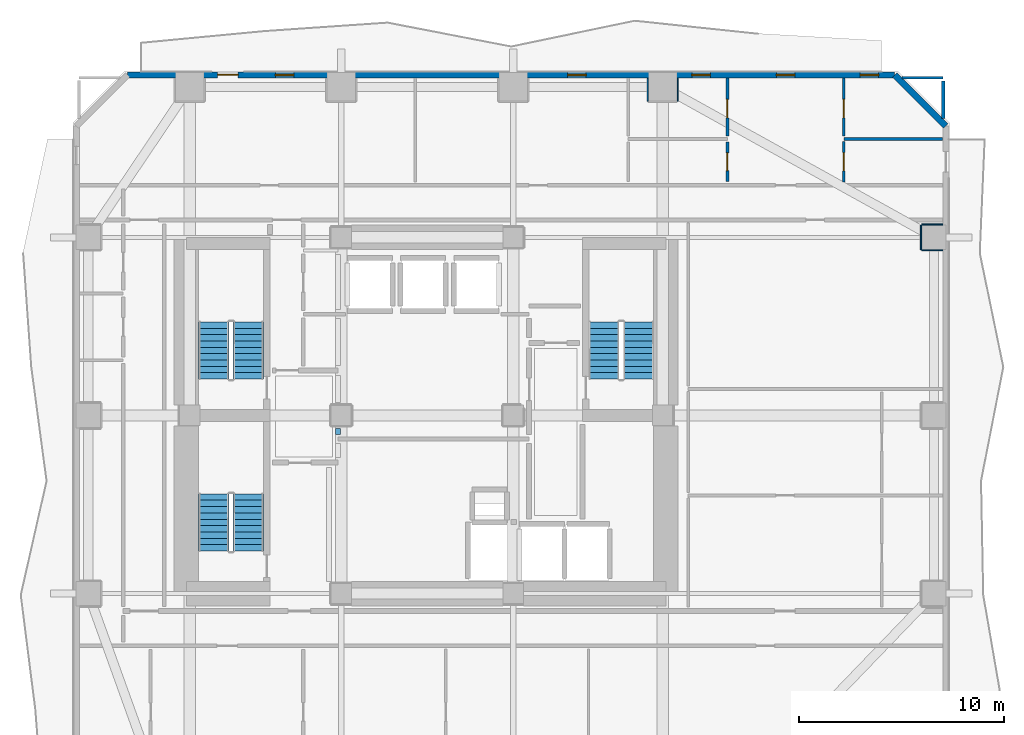
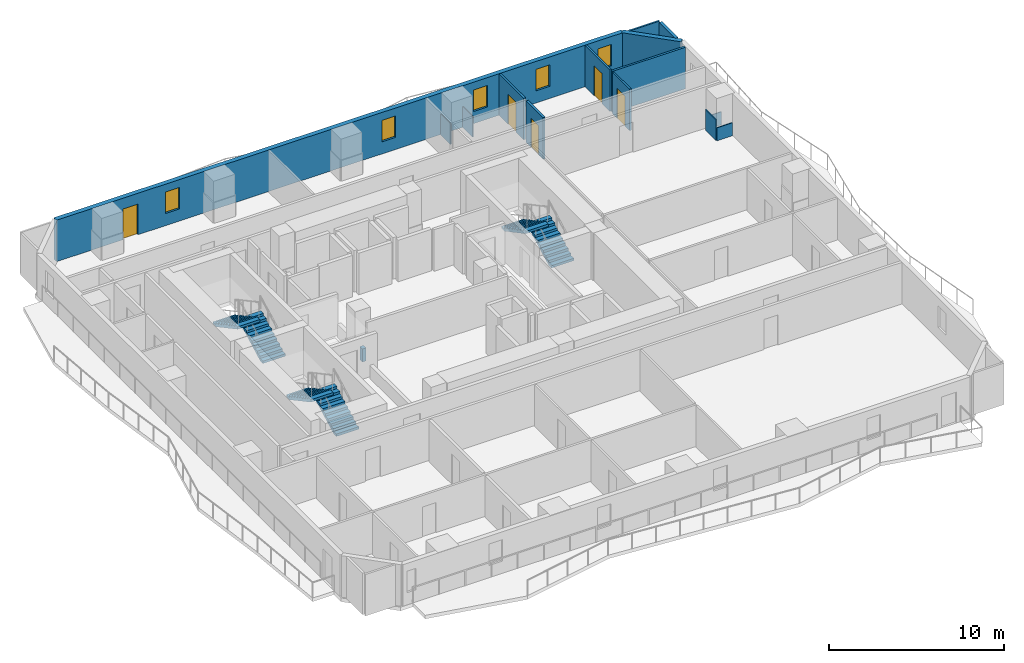
# One storey, part 6 of 9: 15 walls, 6 stair flights, 5 doors, 5 windows, 10 openings, 3 elements without a shape of their own.
"""IFC4 building model written with IfcOpenShell, lengths in metres."""

from ifc_helpers import new_model, si_unit, direction, frame, frame_2d, origin, place, context, subcontext, project, spatial, polyline, rectangle, outline, extrude, material, layer, layer_set, type_object, element, fill, aggregate, save


model = new_model("IFC4")

# Units and contexts
model_context = context("Model", 3, precision=1e-05, world=origin(), true_north=direction((0.0, 1.0)))
body_context = subcontext(model_context, "Body", "Model", "MODEL_VIEW")
ifc_project = project(units=[si_unit("LENGTHUNIT", "METRE"), si_unit("AREAUNIT", "SQUARE_METRE"), si_unit("VOLUMEUNIT", "CUBIC_METRE"), si_unit("PLANEANGLEUNIT", "RADIAN"), si_unit("MASSUNIT", "GRAM", prefix="KILO")], contexts=[model_context])

# Site, building, storey
site_placement = place(None, origin())
site = spatial("IfcSite", under=ifc_project, at=site_placement, CompositionType="ELEMENT")
building_placement = place(site_placement, origin())
building = spatial("IfcBuilding", under=site, at=building_placement, Name="Solanera Arch Residences", CompositionType="ELEMENT")
storey_placement = place(building_placement, frame((0.0, 0.0, 58.52001953125)))
storey = spatial("IfcBuildingStorey", under=building, at=storey_placement, Name="L16", CompositionType="ELEMENT", Elevation=58.52001953125)

# Walls
ifc_material_1 = material(Name="Fire-Rated Gypsum Stud Partition", Category="gypsum")
ifc_layer_1 = layer(ifc_material_1, 0.06005859375)
ifc_layer_set_1 = layer_set([ifc_layer_1], Name="Fire-Rated Gypsum Stud Partition")
wall_type_1 = type_object("IfcWallType", Name="Column Acoustic Furring Wall 60", PredefinedType="PARTITIONING", material=ifc_layer_set_1)
for number, where, z_axis, x_axis, name in (
    (1, (35.76806640625, 46.050048828125, 0.0), (0.0, 0.0, 1.0), (0.0, 1.0, 0.0), "L16 Column Furring 16W"),
    (2, (37.23193359375, 46.050048828125, 0.0), (0.0, 0.0, 1.0), (0.0, 1.0, 0.0), "L16 Column Furring 16E"),
):
    element("IfcWall", number, at=place(storey_placement, frame(where, z_axis=z_axis, x_axis=x_axis)), inside=storey, type_object=wall_type_1, Name=name, PredefinedType="PARTITIONING", context=body_context, shape_type="SweptSolid", body=[
        extrude(rectangle(XDim=1.119873046875, YDim=0.06005859375, at=frame_2d((0.56005859375, 0.0))), origin(), (0.0, 0.0, 1.0), 1.449951171875),
    ])
for number, where, z_axis, x_axis, name in (
    (3, (49.14990234375, 38.76806640625, 0.0), (0.0, 0.0, 1.0), (1.0, 0.0, 0.0), "L16 Column Furring 22S"),
    (4, (49.14990234375, 40.031982421875, 0.0), (0.0, 0.0, 1.0), (1.0, 0.0, 0.0), "L16 Column Furring 22N"),
):
    element("IfcWall", number, at=place(storey_placement, frame(where, z_axis=z_axis, x_axis=x_axis)), inside=storey, type_object=wall_type_1, Name=name, PredefinedType="PARTITIONING", context=body_context, shape_type="SweptSolid", body=[
        extrude(rectangle(XDim=1.02001953125, YDim=0.06005859375, at=frame_2d((0.510009765625, 0.0))), origin(), (0.0, 0.0, 1.0), 0.905029296875),
    ])
wall_1_placement = place(storey_placement, frame((49.117919921875, 38.800048828125, 0.0), z_axis=(0.0, 0.0, 1.0), x_axis=(0.0, 1.0, 0.0)))
element("IfcWall", 5, at=wall_1_placement, inside=storey, type_object=wall_type_1, Name="L16 Column Furring 22W", PredefinedType="PARTITIONING", context=body_context, shape_type="SweptSolid", body=[
    extrude(rectangle(XDim=1.199951171875, YDim=0.06005859375, at=frame_2d((0.60009765625, 0.0))), origin(), (0.0, 0.0, 1.0), 1.449951171875),
])
ifc_material_2 = material(Name="Autoclaved Aerated Concrete Blockwork", Category="masonry")
ifc_layer_2 = layer(ifc_material_2, 0.179931640625)
ifc_layer_set_2 = layer_set([ifc_layer_2], Name="Autoclaved Aerated Concrete Blockwork")
wall_type_2 = type_object("IfcWallType", Name="Corridor Fire Partition 180", PredefinedType="PARTITIONING", material=ifc_layer_set_2)
wall_2_placement = place(storey_placement, frame((50.199951171875, 45.198974609375, 0.0), z_axis=(0.0, 0.0, 1.0), x_axis=(0.0, 1.0, 0.0)))
element("IfcWall", 6, at=wall_2_placement, inside=storey, type_object=wall_type_2, Name="L16 Interior Partition V10 2", PredefinedType="PARTITIONING", context=body_context, shape_type="SweptSolid", body=[
    extrude(rectangle(XDim=1.843017578125, YDim=0.179931640625, at=frame_2d((0.92138671875, 0.0))), origin(), (0.0, 0.0, 1.0), 2.89990234375),
])

# Wall, openings, door, windows
ifc_material_3 = material(Name="Precast Concrete C35/45", Category="concrete")
ifc_layer_3 = layer(ifc_material_3, 0.300048828125)
ifc_layer_set_3 = layer_set([ifc_layer_3], Name="Precast Concrete C35/45")
wall_type_3 = type_object("IfcWallType", Name="Exterior Wall Precast Masonry-Frame 300", PredefinedType="STANDARD", material=ifc_layer_set_3)
wall_3_placement = place(storey_placement, frame((10.364990234375, 47.3349609375, 0.0), z_axis=(0.0, 0.0, 1.0), x_axis=(1.0, 0.0, 0.0)))
wall_3 = element("IfcWall", 7, at=wall_3_placement, inside=storey, type_object=wall_type_3, Name="L16 Tower Exterior Precast Masonry-Frame Wall N", PredefinedType="STANDARD", context=body_context, shape_type="SweptSolid", body=[
    extrude(rectangle(XDim=37.469970703125, YDim=0.300048828125, at=frame_2d((18.73486328125, 0.0))), origin(), (0.0, 0.0, 1.0), 2.89990234375),
])
opening_1_placement = place(wall_3_placement, frame((4.403076171875, 0.0, 0.0)))
opening_1 = element("IfcOpeningElement", 8, at=opening_1_placement, cuts=wall_3, Name="Opening DB-01", PredefinedType="OPENING", context=body_context, shape_type="SweptSolid", body=[
    extrude(rectangle(XDim=1.0, YDim=2.14990234375, at=frame_2d((0.5, 1.074951171875))), frame((0.0, 0.159912109375, 0.0), z_axis=(0.0, -1.0, 0.0), x_axis=(1.0, 0.0, 0.0)), (0.0, 0.0, 1.0), 0.32),
])
opening_2_placement = place(wall_3_placement, frame((7.218994140625, 0.0, 0.85009765625)))
opening_2 = element("IfcOpeningElement", 9, at=opening_2_placement, cuts=wall_3, Name="Opening W-06", PredefinedType="OPENING", context=body_context, shape_type="SweptSolid", body=[
    extrude(rectangle(XDim=0.89990234375, YDim=1.5, at=frame_2d((0.449951171875, 0.75))), frame((0.0, 0.159912109375, 0.0), z_axis=(0.0, -1.0, 0.0), x_axis=(1.0, 0.0, 0.0)), (0.0, 0.0, 1.0), 0.32),
])
opening_3_placement = place(wall_3_placement, frame((21.4951171875, 0.0, 0.85009765625)))
opening_3 = element("IfcOpeningElement", 10, at=opening_3_placement, cuts=wall_3, Name="Opening W-06", PredefinedType="OPENING", context=body_context, shape_type="SweptSolid", body=[
    extrude(rectangle(XDim=0.89990234375, YDim=1.5, at=frame_2d((0.449951171875, 0.75))), frame((0.0, 0.159912109375, 0.0), z_axis=(0.0, -1.0, 0.0), x_axis=(1.0, 0.0, 0.0)), (0.0, 0.0, 1.0), 0.32),
])
opening_4_placement = place(wall_3_placement, frame((31.695068359375, 0.0, 0.85009765625)))
opening_4 = element("IfcOpeningElement", 11, at=opening_4_placement, cuts=wall_3, Name="Opening W-06", PredefinedType="OPENING", context=body_context, shape_type="SweptSolid", body=[
    extrude(rectangle(XDim=0.89990234375, YDim=1.5, at=frame_2d((0.449951171875, 0.75))), frame((0.0, 0.159912109375, 0.0), z_axis=(0.0, -1.0, 0.0), x_axis=(1.0, 0.0, 0.0)), (0.0, 0.0, 1.0), 0.32),
])
opening_5_placement = place(wall_3_placement, frame((27.568115234375, 0.0, 0.85009765625)))
opening_5 = element("IfcOpeningElement", 12, at=opening_5_placement, cuts=wall_3, Name="Opening W-06", PredefinedType="OPENING", context=body_context, shape_type="SweptSolid", body=[
    extrude(rectangle(XDim=0.89990234375, YDim=1.5, at=frame_2d((0.449951171875, 0.75))), frame((0.0, 0.159912109375, 0.0), z_axis=(0.0, -1.0, 0.0), x_axis=(1.0, 0.0, 0.0)), (0.0, 0.0, 1.0), 0.32),
])
opening_6_placement = place(wall_3_placement, frame((35.783935546875, 0.0, 0.85009765625)))
opening_6 = element("IfcOpeningElement", 13, at=opening_6_placement, cuts=wall_3, Name="Opening W-06", PredefinedType="OPENING", context=body_context, shape_type="SweptSolid", body=[
    extrude(rectangle(XDim=0.89990234375, YDim=1.5, at=frame_2d((0.449951171875, 0.75))), frame((0.0, 0.159912109375, 0.0), z_axis=(0.0, -1.0, 0.0), x_axis=(1.0, 0.0, 0.0)), (0.0, 0.0, 1.0), 0.32),
])
ifc_material_4 = material(Name="Anodised Aluminium Alloy 6063-T6", Category="aluminium")
door_type_1 = type_object("IfcDoorType", Name="Glazed Balcony Swing Door DB-01", OperationType="NOTDEFINED", PredefinedType="DOOR", material=ifc_material_4)
door_1_placement = place(opening_1_placement, origin())
door_1 = element("IfcDoor", 14, at=door_1_placement, inside=storey, type_object=door_type_1, Name="DR-L16-OUT-02", OperationType="SINGLE_SWING_LEFT", OverallHeight=2.14990234375, OverallWidth=1.0, PredefinedType="DOOR", context=body_context, shape_type="SweptSolid", body=[
    extrude(rectangle(XDim=1.0, YDim=2.14990234375, at=frame_2d((0.5, 1.074951171875))), frame((0.0, 0.02490234375, 0.0), z_axis=(0.0, -1.0, 0.0), x_axis=(1.0, 0.0, 0.0)), (0.0, 0.0, 1.0), 0.050048828125),
])
fill(opening_1, door_1)
ifc_material_5 = material(Name="Double Glazed Low-E Laminated Glass", Category="glass")
window_type = type_object("IfcWindowType", Name="Punched Window W-06", PartitioningType="SINGLE_PANEL", PredefinedType="WINDOW", material=ifc_material_5)
window_1_placement = place(opening_2_placement, origin())
window_1 = element("IfcWindow", 15, at=window_1_placement, inside=storey, type_object=window_type, Name="L16 AMN-MTG1 Punched Window", OverallHeight=1.5, OverallWidth=0.89990234375, PartitioningType="SINGLE_PANEL", PredefinedType="WINDOW", context=body_context, shape_type="SweptSolid", body=[
    extrude(rectangle(XDim=0.89990234375, YDim=1.5, at=frame_2d((0.449951171875, 0.75))), frame((0.0, 0.030029296875, 0.0), z_axis=(0.0, -1.0, 0.0), x_axis=(1.0, 0.0, 0.0)), (0.0, 0.0, 1.0), 0.06005859375),
])
fill(opening_2, window_1)
window_2_placement = place(opening_3_placement, origin())
window_2 = element("IfcWindow", 16, at=window_2_placement, inside=storey, type_object=window_type, Name="L16 AMN-MTG2 Punched Window", OverallHeight=1.5, OverallWidth=0.89990234375, PartitioningType="SINGLE_PANEL", PredefinedType="WINDOW", context=body_context, shape_type="SweptSolid", body=[
    extrude(rectangle(XDim=0.89990234375, YDim=1.5, at=frame_2d((0.449951171875, 0.75))), frame((0.0, 0.030029296875, 0.0), z_axis=(0.0, -1.0, 0.0), x_axis=(1.0, 0.0, 0.0)), (0.0, 0.0, 1.0), 0.06005859375),
])
fill(opening_3, window_2)
window_3_placement = place(opening_4_placement, origin())
window_3 = element("IfcWindow", 17, at=window_3_placement, inside=storey, type_object=window_type, Name="L16 1602-LIV Punched Window", OverallHeight=1.5, OverallWidth=0.89990234375, PartitioningType="SINGLE_PANEL", PredefinedType="WINDOW", context=body_context, shape_type="SweptSolid", body=[
    extrude(rectangle(XDim=0.89990234375, YDim=1.5, at=frame_2d((0.449951171875, 0.75))), frame((0.0, 0.030029296875, 0.0), z_axis=(0.0, -1.0, 0.0), x_axis=(1.0, 0.0, 0.0)), (0.0, 0.0, 1.0), 0.06005859375),
])
fill(opening_4, window_3)
window_4_placement = place(opening_5_placement, origin())
window_4 = element("IfcWindow", 18, at=window_4_placement, inside=storey, type_object=window_type, Name="L16 1602-BR1 Punched Window", OverallHeight=1.5, OverallWidth=0.89990234375, PartitioningType="SINGLE_PANEL", PredefinedType="WINDOW", context=body_context, shape_type="SweptSolid", body=[
    extrude(rectangle(XDim=0.89990234375, YDim=1.5, at=frame_2d((0.449951171875, 0.75))), frame((0.0, 0.030029296875, 0.0), z_axis=(0.0, -1.0, 0.0), x_axis=(1.0, 0.0, 0.0)), (0.0, 0.0, 1.0), 0.06005859375),
])
fill(opening_5, window_4)
window_5_placement = place(opening_6_placement, origin())
window_5 = element("IfcWindow", 19, at=window_5_placement, inside=storey, type_object=window_type, Name="L16 1602-BR2 Punched Window", OverallHeight=1.5, OverallWidth=0.89990234375, PartitioningType="SINGLE_PANEL", PredefinedType="WINDOW", context=body_context, shape_type="SweptSolid", body=[
    extrude(rectangle(XDim=0.89990234375, YDim=1.5, at=frame_2d((0.449951171875, 0.75))), frame((0.0, 0.030029296875, 0.0), z_axis=(0.0, -1.0, 0.0), x_axis=(1.0, 0.0, 0.0)), (0.0, 0.0, 1.0), 0.06005859375),
])
fill(opening_6, window_5)

# Walls
wall_4_placement = place(storey_placement, frame((47.8349609375, 47.3349609375, 0.0), z_axis=(0.0, 0.0, 1.0), x_axis=(0.707106781187, -0.707106781187, 0.0)))
element("IfcWall", 20, at=wall_4_placement, inside=storey, type_object=wall_type_3, Name="L16 Tower Exterior Precast Masonry-Frame Wall CH3", PredefinedType="STANDARD", context=body_context, shape_type="SweptSolid", body=[
    extrude(rectangle(XDim=3.53564453125, YDim=0.300048828125, at=frame_2d((1.767822265625, 0.0))), origin(), (0.0, 0.0, 1.0), 2.89990234375),
])
ifc_material_6 = material(Name="Autoclaved Aerated Concrete Blockwork", Category="masonry")
ifc_layer_4 = layer(ifc_material_6, 0.239990234375)
ifc_layer_set_4 = layer_set([ifc_layer_4], Name="Autoclaved Aerated Concrete Blockwork")
wall_type_4 = type_object("IfcWallType", Name="Shaft Wall Fire-Rated 240", PredefinedType="PARTITIONING", material=ifc_layer_set_4)
wall_5_placement = place(storey_placement, frame((20.64990234375, 29.76806640625, 0.0), z_axis=(0.0, 0.0, 1.0), x_axis=(0.0, 1.0, 0.0)))
element("IfcWall", 21, at=wall_5_placement, inside=storey, type_object=wall_type_4, Name="L16 Interior Partition V3 2", PredefinedType="PARTITIONING", context=body_context, shape_type="SweptSolid", body=[
    extrude(rectangle(XDim=0.300048828125, YDim=0.239990234375, at=frame_2d((0.14990234375, 0.0))), origin(), (0.0, 0.0, 1.0), 0.905029296875),
])
ifc_material_7 = material(Name="Fire-Rated Gypsum Stud Partition", Category="gypsum")
ifc_layer_5 = layer(ifc_material_7, 0.1201171875)
ifc_layer_set_5 = layer_set([ifc_layer_5], Name="Fire-Rated Gypsum Stud Partition")
wall_type_5 = type_object("IfcWallType", Name="Unit Drywall Partition 120", PredefinedType="PARTITIONING", material=ifc_layer_set_5)
wall_6_placement = place(storey_placement, frame((48.198974609375, 47.199951171875, 0.0), z_axis=(0.0, 0.0, 1.0), x_axis=(1.0, 0.0, 0.0)))
element("IfcWall", 22, at=wall_6_placement, inside=storey, type_object=wall_type_5, Name="L16 Interior Partition H21 2", PredefinedType="PARTITIONING", context=body_context, shape_type="SweptSolid", body=[
    extrude(rectangle(XDim=2.0009765625, YDim=0.1201171875, at=frame_2d((1.00048828125, 0.0))), origin(), (0.0, 0.0, 1.0), 2.89990234375),
])

# Wall, opening, door
wall_7_placement = place(storey_placement, frame((45.35400390625, 42.10791015625, 0.0), z_axis=(0.0, 0.0, 1.0), x_axis=(0.0, 1.0, 0.0)))
wall_7 = element("IfcWall", 23, at=wall_7_placement, inside=storey, type_object=wall_type_5, Name="L16 Interior Partition V22 1", PredefinedType="PARTITIONING", context=body_context, shape_type="SweptSolid", body=[
    extrude(rectangle(XDim=1.962158203125, YDim=0.1201171875, at=frame_2d((0.98095703125, 0.0))), origin(), (0.0, 0.0, 1.0), 2.89990234375),
])
opening_7_placement = place(wall_7_placement, frame((0.533935546875, 0.0, 0.0)))
opening_7 = element("IfcOpeningElement", 24, at=opening_7_placement, cuts=wall_7, Name="Opening DI-02", PredefinedType="OPENING", context=body_context, shape_type="SweptSolid", body=[
    extrude(rectangle(XDim=0.89990234375, YDim=2.10009765625, at=frame_2d((0.449951171875, 1.050048828125))), frame((0.0, 0.070068359375, 0.0), z_axis=(0.0, -1.0, 0.0), x_axis=(1.0, 0.0, 0.0)), (0.0, 0.0, 1.0), 0.1401),
])
ifc_material_8 = material(Name="Fire-Rated Architectural Hardwood", Category="wood")
door_type_2 = type_object("IfcDoorType", Name="Suite Room Swing Door DI-02", OperationType="NOTDEFINED", PredefinedType="DOOR", material=ifc_material_8)
door_2_placement = place(opening_7_placement, origin())
door_2 = element("IfcDoor", 25, at=door_2_placement, inside=storey, type_object=door_type_2, Name="DR-L16-IN-027", OperationType="SINGLE_SWING_RIGHT", OverallHeight=2.10009765625, OverallWidth=0.89990234375, PredefinedType="DOOR", context=body_context, shape_type="SweptSolid", body=[
    extrude(rectangle(XDim=0.89990234375, YDim=2.10009765625, at=frame_2d((0.449951171875, 1.050048828125))), frame((0.0, 0.02490234375, 0.0), z_axis=(0.0, -1.0, 0.0), x_axis=(1.0, 0.0, 0.0)), (0.0, 0.0, 1.0), 0.050048828125),
])
fill(opening_7, door_2)

wall_8_placement = place(storey_placement, frame((45.35400390625, 44.345947265625, 0.0), z_axis=(0.0, 0.0, 1.0), x_axis=(0.0, 1.0, 0.0)))
wall_8 = element("IfcWall", 26, at=wall_8_placement, inside=storey, type_object=wall_type_5, Name="L16 Interior Partition V22 2", PredefinedType="PARTITIONING", context=body_context, shape_type="SweptSolid", body=[
    extrude(rectangle(XDim=2.8271484375, YDim=0.1201171875, at=frame_2d((1.41357421875, 0.0))), origin(), (0.0, 0.0, 1.0), 2.89990234375),
])
opening_8_placement = place(wall_8_placement, frame((0.89501953125, 0.0, 0.0)))
opening_8 = element("IfcOpeningElement", 27, at=opening_8_placement, cuts=wall_8, Name="Opening DI-03", PredefinedType="OPENING", context=body_context, shape_type="SweptSolid", body=[
    extrude(rectangle(XDim=0.89990234375, YDim=2.10009765625, at=frame_2d((0.449951171875, 1.050048828125))), frame((0.0, 0.070068359375, 0.0), z_axis=(0.0, -1.0, 0.0), x_axis=(1.0, 0.0, 0.0)), (0.0, 0.0, 1.0), 0.1401),
])
ifc_material_9 = material(Name="Fire-Rated Architectural Hardwood", Category="wood")
door_type_3 = type_object("IfcDoorType", Name="Bedroom Swing Door DI-03", OperationType="NOTDEFINED", PredefinedType="DOOR", material=ifc_material_9)
door_3_placement = place(opening_8_placement, origin())
door_3 = element("IfcDoor", 28, at=door_3_placement, inside=storey, type_object=door_type_3, Name="DR-L16-IN-028", OperationType="SINGLE_SWING_LEFT", OverallHeight=2.10009765625, OverallWidth=0.89990234375, PredefinedType="DOOR", context=body_context, shape_type="SweptSolid", body=[
    extrude(rectangle(XDim=0.89990234375, YDim=2.10009765625, at=frame_2d((0.449951171875, 1.050048828125))), frame((0.0, 0.02490234375, 0.0), z_axis=(0.0, -1.0, 0.0), x_axis=(1.0, 0.0, 0.0)), (0.0, 0.0, 1.0), 0.050048828125),
])
fill(opening_8, door_3)

# Wall
ifc_material_10 = material(Name="Autoclaved Aerated Concrete Blockwork", Category="masonry")
ifc_layer_6 = layer(ifc_material_10, 0.139892578125)
ifc_layer_set_6 = layer_set([ifc_layer_6], Name="Autoclaved Aerated Concrete Blockwork")
wall_type_6 = type_object("IfcWallType", Name="Wet-Room Partition 140", PredefinedType="PARTITIONING", material=ifc_layer_set_6)
wall_9_placement = place(storey_placement, frame((45.35400390625, 44.2080078125, 0.0), z_axis=(0.0, 0.0, 1.0), x_axis=(1.0, 0.0, 0.0)))
element("IfcWall", 29, at=wall_9_placement, inside=storey, type_object=wall_type_6, Name="L16 Interior Partition H18", PredefinedType="PARTITIONING", context=body_context, shape_type="SweptSolid", body=[
    extrude(rectangle(XDim=4.819091796875, YDim=0.139892578125, at=frame_2d((2.40966796875, 0.0))), origin(), (0.0, 0.0, 1.0), 2.89990234375),
])

# Wall, opening, door
wall_10_placement = place(storey_placement, frame((39.666015625, 42.117919921875, 0.0), z_axis=(0.0, 0.0, 1.0), x_axis=(0.0, 1.0, 0.0)))
wall_10 = element("IfcWall", 30, at=wall_10_placement, inside=storey, type_object=wall_type_6, Name="L16 Interior Partition V16 1", PredefinedType="PARTITIONING", context=body_context, shape_type="SweptSolid", body=[
    extrude(rectangle(XDim=1.942138671875, YDim=0.139892578125, at=frame_2d((0.97119140625, 0.0))), origin(), (0.0, 0.0, 1.0), 2.89990234375),
])
opening_9_placement = place(wall_10_placement, frame((0.5439453125, 0.0, 0.0)))
opening_9 = element("IfcOpeningElement", 31, at=opening_9_placement, cuts=wall_10, Name="Opening DI-05", PredefinedType="OPENING", context=body_context, shape_type="SweptSolid", body=[
    extrude(rectangle(XDim=0.860107421875, YDim=2.02001953125, at=frame_2d((0.43017578125, 1.010009765625))), frame((0.0, 0.079833984375, 0.0), z_axis=(0.0, -1.0, 0.0), x_axis=(1.0, 0.0, 0.0)), (0.0, 0.0, 1.0), 0.1599),
])
ifc_material_11 = material(Name="Fire-Rated Architectural Hardwood", Category="wood")
door_type_4 = type_object("IfcDoorType", Name="Bathroom Swing Door DI-05", OperationType="NOTDEFINED", PredefinedType="DOOR", material=ifc_material_11)
door_4_placement = place(opening_9_placement, origin())
door_4 = element("IfcDoor", 32, at=door_4_placement, inside=storey, type_object=door_type_4, Name="DR-L16-IN-025", OperationType="SINGLE_SWING_RIGHT", OverallHeight=2.02001953125, OverallWidth=0.860107421875, PredefinedType="DOOR", context=body_context, shape_type="SweptSolid", body=[
    extrude(rectangle(XDim=0.860107421875, YDim=2.02001953125, at=frame_2d((0.43017578125, 1.010009765625))), frame((0.0, 0.02490234375, 0.0), z_axis=(0.0, -1.0, 0.0), x_axis=(1.0, 0.0, 0.0)), (0.0, 0.0, 1.0), 0.050048828125),
])
fill(opening_9, door_4)

wall_11_placement = place(storey_placement, frame((39.666015625, 44.35595703125, 0.0), z_axis=(0.0, 0.0, 1.0), x_axis=(0.0, 1.0, 0.0)))
wall_11 = element("IfcWall", 33, at=wall_11_placement, inside=storey, type_object=wall_type_6, Name="L16 Interior Partition V16 2", PredefinedType="PARTITIONING", context=body_context, shape_type="SweptSolid", body=[
    extrude(rectangle(XDim=2.817138671875, YDim=0.139892578125, at=frame_2d((1.40869140625, 0.0))), origin(), (0.0, 0.0, 1.0), 2.89990234375),
])
opening_10_placement = place(wall_11_placement, frame((0.885009765625, 0.0, 0.0)))
opening_10 = element("IfcOpeningElement", 34, at=opening_10_placement, cuts=wall_11, Name="Opening DI-03", PredefinedType="OPENING", context=body_context, shape_type="SweptSolid", body=[
    extrude(rectangle(XDim=0.89990234375, YDim=2.10009765625, at=frame_2d((0.449951171875, 1.050048828125))), frame((0.0, 0.079833984375, 0.0), z_axis=(0.0, -1.0, 0.0), x_axis=(1.0, 0.0, 0.0)), (0.0, 0.0, 1.0), 0.1599),
])
door_5_placement = place(opening_10_placement, origin())
door_5 = element("IfcDoor", 35, at=door_5_placement, inside=storey, type_object=door_type_3, Name="DR-L16-IN-026", OperationType="SINGLE_SWING_LEFT", OverallHeight=2.10009765625, OverallWidth=0.89990234375, PredefinedType="DOOR", context=body_context, shape_type="SweptSolid", body=[
    extrude(rectangle(XDim=0.89990234375, YDim=2.10009765625, at=frame_2d((0.449951171875, 1.050048828125))), frame((0.0, 0.02490234375, 0.0), z_axis=(0.0, -1.0, 0.0), x_axis=(1.0, 0.0, 0.0)), (0.0, 0.0, 1.0), 0.050048828125),
])
fill(opening_10, door_5)

# Stair, stair flights
ifc_material_12 = material(Name="Concrete C40/50 (f'c = 45 MPa)", Category="concrete")
stair_type = type_object("IfcStairType", Name="Tower Dogleg Exit Stair 1480", PredefinedType="HALF_TURN_STAIR", material=ifc_material_12)
stair_1_placement = place(storey_placement, origin())
stair_1 = element("IfcStair", 36, at=stair_1_placement, inside=storey, type_object=stair_type, Name="L16 Tower Core Exit Stair 1", PredefinedType="HALF_TURN_STAIR")
ifc_material_13 = material(Name="Concrete C40/50 (f'c = 45 MPa)", Category="concrete")
stair_flight_type = type_object("IfcStairFlightType", Name="Tower Precast Stair Flight 1480", PredefinedType="STRAIGHT", material=ifc_material_13)
stair_flight_1_placement = place(storey_placement, frame((16.260009765625, 32.47998046875, 0.0), z_axis=(0.0, 0.0, 1.0), x_axis=(0.0, 1.0, 0.0)))
stair_flight_1 = element("IfcStairFlight", 37, at=stair_flight_1_placement, type_object=stair_flight_type, Name="ST-T1 flight 1", NumberOfRisers=10, NumberOfTreads=9, PredefinedType="STRAIGHT", RiserHeight=0.166, TreadLength=0.31, context=body_context, shape_type="SweptSolid", body=[
    extrude(outline(polyline([(0.0, 0.0), (0.0, 0.166015625), (0.31005859375, 0.166015625), (0.31005859375, 0.33203125), (0.6201171875, 0.33203125), (0.6201171875, 0.498046875), (0.929931640625, 0.498046875), (0.929931640625, 0.6640625), (1.239990234375, 0.6640625), (1.239990234375, 0.830078125), (1.550048828125, 0.830078125), (1.550048828125, 0.99609375), (1.860107421875, 0.99609375), (1.860107421875, 1.162109375), (2.169921875, 1.162109375), (2.169921875, 1.327880859375), (2.47998046875, 1.327880859375), (2.47998046875, 1.493896484375), (2.7900390625, 1.493896484375), (2.7900390625, 1.659912109375), (2.7900390625, 1.323974609375), (0.317626953125, 0.0), (0.0, 0.0)])), frame((0.0, 0.739990234375, 0.0), z_axis=(0.0, -1.0, 0.0), x_axis=(1.0, 0.0, 0.0)), (0.0, 0.0, 1.0), 1.47998046875),
])
stair_flight_2_placement = place(storey_placement, frame((14.580078125, 35.27001953125, 1.659912109375), z_axis=(0.0, 0.0, 1.0), x_axis=(0.0, -1.0, 0.0)))
stair_flight_2 = element("IfcStairFlight", 38, at=stair_flight_2_placement, type_object=stair_flight_type, Name="ST-T1 flight 2", NumberOfRisers=10, NumberOfTreads=9, PredefinedType="STRAIGHT", RiserHeight=0.166, TreadLength=0.31, context=body_context, shape_type="SweptSolid", body=[
    extrude(outline(polyline([(0.0, 0.0), (0.0, 0.166015625), (0.31005859375, 0.166015625), (0.31005859375, 0.33203125), (0.6201171875, 0.33203125), (0.6201171875, 0.498046875), (0.929931640625, 0.498046875), (0.929931640625, 0.6640625), (1.239990234375, 0.6640625), (1.239990234375, 0.830078125), (1.550048828125, 0.830078125), (1.550048828125, 0.99609375), (1.860107421875, 0.99609375), (1.860107421875, 1.162109375), (2.169921875, 1.162109375), (2.169921875, 1.327880859375), (2.47998046875, 1.327880859375), (2.47998046875, 1.493896484375), (2.7900390625, 1.493896484375), (2.7900390625, 1.659912109375), (2.7900390625, 1.323974609375), (0.317626953125, 0.0), (0.0, 0.0)])), frame((0.0, 0.739990234375, 0.0), z_axis=(0.0, -1.0, 0.0), x_axis=(1.0, 0.0, 0.0)), (0.0, 0.0, 1.0), 1.47998046875),
])
aggregate(stair_1, [stair_flight_1, stair_flight_2])

stair_2_placement = place(storey_placement, origin())
stair_2 = element("IfcStair", 39, at=stair_2_placement, inside=storey, type_object=stair_type, Name="L16 Tower Core Exit Stair 2", PredefinedType="HALF_TURN_STAIR")
stair_flight_3_placement = place(storey_placement, frame((35.320068359375, 32.47998046875, 0.0), z_axis=(0.0, 0.0, 1.0), x_axis=(0.0, 1.0, 0.0)))
stair_flight_3 = element("IfcStairFlight", 40, at=stair_flight_3_placement, type_object=stair_flight_type, Name="ST-T2 flight 1", NumberOfRisers=10, NumberOfTreads=9, PredefinedType="STRAIGHT", RiserHeight=0.166, TreadLength=0.31, context=body_context, shape_type="SweptSolid", body=[
    extrude(outline(polyline([(0.0, 0.0), (0.0, 0.166015625), (0.31005859375, 0.166015625), (0.31005859375, 0.33203125), (0.6201171875, 0.33203125), (0.6201171875, 0.498046875), (0.929931640625, 0.498046875), (0.929931640625, 0.6640625), (1.239990234375, 0.6640625), (1.239990234375, 0.830078125), (1.550048828125, 0.830078125), (1.550048828125, 0.99609375), (1.860107421875, 0.99609375), (1.860107421875, 1.162109375), (2.169921875, 1.162109375), (2.169921875, 1.327880859375), (2.47998046875, 1.327880859375), (2.47998046875, 1.493896484375), (2.7900390625, 1.493896484375), (2.7900390625, 1.659912109375), (2.7900390625, 1.323974609375), (0.317626953125, 0.0), (0.0, 0.0)])), frame((0.0, 0.739990234375, 0.0), z_axis=(0.0, -1.0, 0.0), x_axis=(1.0, 0.0, 0.0)), (0.0, 0.0, 1.0), 1.47998046875),
])
stair_flight_4_placement = place(storey_placement, frame((33.639892578125, 35.27001953125, 1.659912109375), z_axis=(0.0, 0.0, 1.0), x_axis=(0.0, -1.0, 0.0)))
stair_flight_4 = element("IfcStairFlight", 41, at=stair_flight_4_placement, type_object=stair_flight_type, Name="ST-T2 flight 2", NumberOfRisers=10, NumberOfTreads=9, PredefinedType="STRAIGHT", RiserHeight=0.166, TreadLength=0.31, context=body_context, shape_type="SweptSolid", body=[
    extrude(outline(polyline([(0.0, 0.0), (0.0, 0.166015625), (0.31005859375, 0.166015625), (0.31005859375, 0.33203125), (0.6201171875, 0.33203125), (0.6201171875, 0.498046875), (0.929931640625, 0.498046875), (0.929931640625, 0.6640625), (1.239990234375, 0.6640625), (1.239990234375, 0.830078125), (1.550048828125, 0.830078125), (1.550048828125, 0.99609375), (1.860107421875, 0.99609375), (1.860107421875, 1.162109375), (2.169921875, 1.162109375), (2.169921875, 1.327880859375), (2.47998046875, 1.327880859375), (2.47998046875, 1.493896484375), (2.7900390625, 1.493896484375), (2.7900390625, 1.659912109375), (2.7900390625, 1.323974609375), (0.317626953125, 0.0), (0.0, 0.0)])), frame((0.0, 0.739990234375, 0.0), z_axis=(0.0, -1.0, 0.0), x_axis=(1.0, 0.0, 0.0)), (0.0, 0.0, 1.0), 1.47998046875),
])
aggregate(stair_2, [stair_flight_3, stair_flight_4])

stair_3_placement = place(storey_placement, origin())
stair_3 = element("IfcStair", 42, at=stair_3_placement, inside=storey, type_object=stair_type, Name="L16 Tower Core Exit Stair 3", PredefinedType="HALF_TURN_STAIR")
stair_flight_5_placement = place(storey_placement, frame((16.260009765625, 24.080078125, 0.0), z_axis=(0.0, 0.0, 1.0), x_axis=(0.0, 1.0, 0.0)))
stair_flight_5 = element("IfcStairFlight", 43, at=stair_flight_5_placement, type_object=stair_flight_type, Name="ST-T3 flight 1", NumberOfRisers=10, NumberOfTreads=9, PredefinedType="STRAIGHT", RiserHeight=0.166, TreadLength=0.31, context=body_context, shape_type="SweptSolid", body=[
    extrude(outline(polyline([(0.0, 0.0), (0.0, 0.166015625), (0.31005859375, 0.166015625), (0.31005859375, 0.33203125), (0.6201171875, 0.33203125), (0.6201171875, 0.498046875), (0.929931640625, 0.498046875), (0.929931640625, 0.6640625), (1.239990234375, 0.6640625), (1.239990234375, 0.830078125), (1.550048828125, 0.830078125), (1.550048828125, 0.99609375), (1.860107421875, 0.99609375), (1.860107421875, 1.162109375), (2.169921875, 1.162109375), (2.169921875, 1.327880859375), (2.47998046875, 1.327880859375), (2.47998046875, 1.493896484375), (2.7900390625, 1.493896484375), (2.7900390625, 1.659912109375), (2.7900390625, 1.323974609375), (0.317626953125, 0.0), (0.0, 0.0)])), frame((0.0, 0.739990234375, 0.0), z_axis=(0.0, -1.0, 0.0), x_axis=(1.0, 0.0, 0.0)), (0.0, 0.0, 1.0), 1.47998046875),
])
stair_flight_6_placement = place(storey_placement, frame((14.580078125, 26.8701171875, 1.659912109375), z_axis=(0.0, 0.0, 1.0), x_axis=(0.0, -1.0, 0.0)))
stair_flight_6 = element("IfcStairFlight", 44, at=stair_flight_6_placement, type_object=stair_flight_type, Name="ST-T3 flight 2", NumberOfRisers=10, NumberOfTreads=9, PredefinedType="STRAIGHT", RiserHeight=0.166, TreadLength=0.31, context=body_context, shape_type="SweptSolid", body=[
    extrude(outline(polyline([(0.0, 0.0), (0.0, 0.166015625), (0.31005859375, 0.166015625), (0.31005859375, 0.33203125), (0.6201171875, 0.33203125), (0.6201171875, 0.498046875), (0.929931640625, 0.498046875), (0.929931640625, 0.6640625), (1.239990234375, 0.6640625), (1.239990234375, 0.830078125), (1.550048828125, 0.830078125), (1.550048828125, 0.99609375), (1.860107421875, 0.99609375), (1.860107421875, 1.162109375), (2.169921875, 1.162109375), (2.169921875, 1.327880859375), (2.47998046875, 1.327880859375), (2.47998046875, 1.493896484375), (2.7900390625, 1.493896484375), (2.7900390625, 1.659912109375), (2.7900390625, 1.323974609375), (0.317626953125, 0.0), (0.0, 0.0)])), frame((0.0, 0.739990234375, 0.0), z_axis=(0.0, -1.0, 0.0), x_axis=(1.0, 0.0, 0.0)), (0.0, 0.0, 1.0), 1.47998046875),
])
aggregate(stair_3, [stair_flight_5, stair_flight_6])

save(model, "model.ifc")
